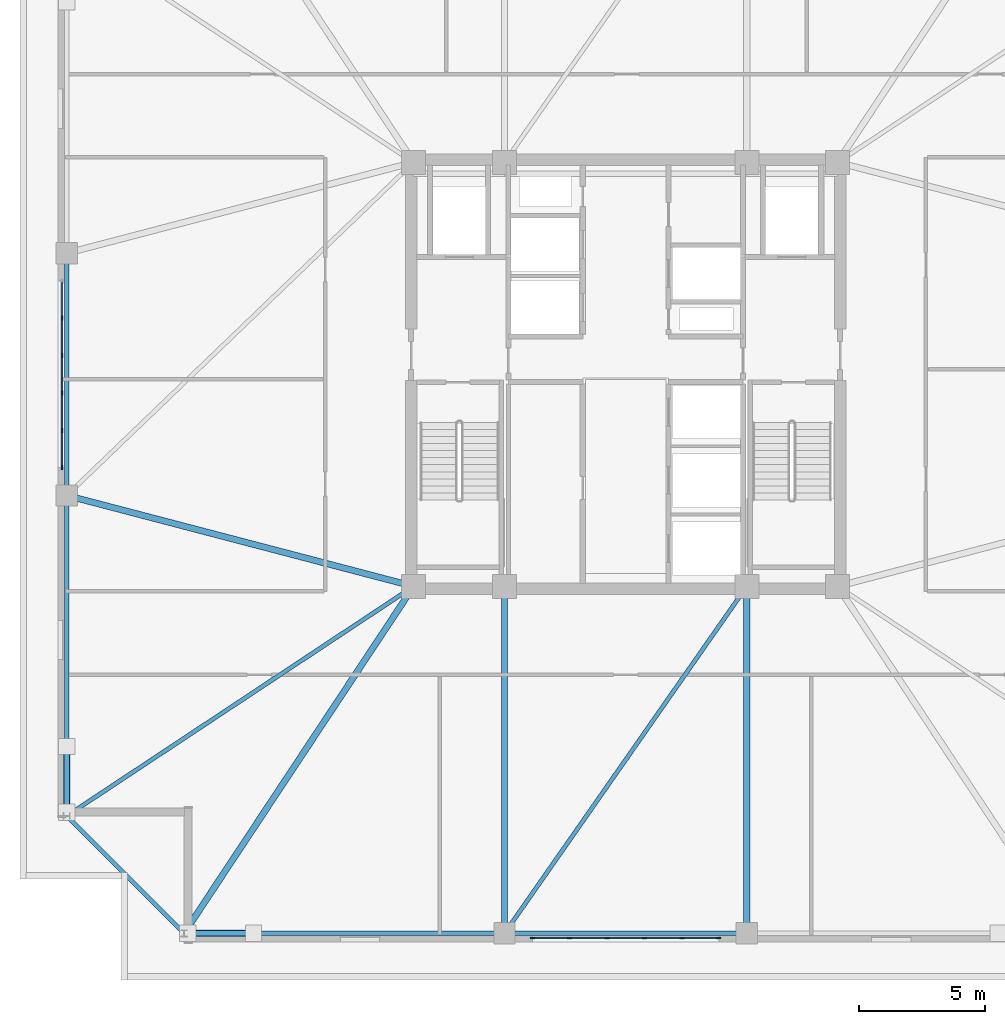
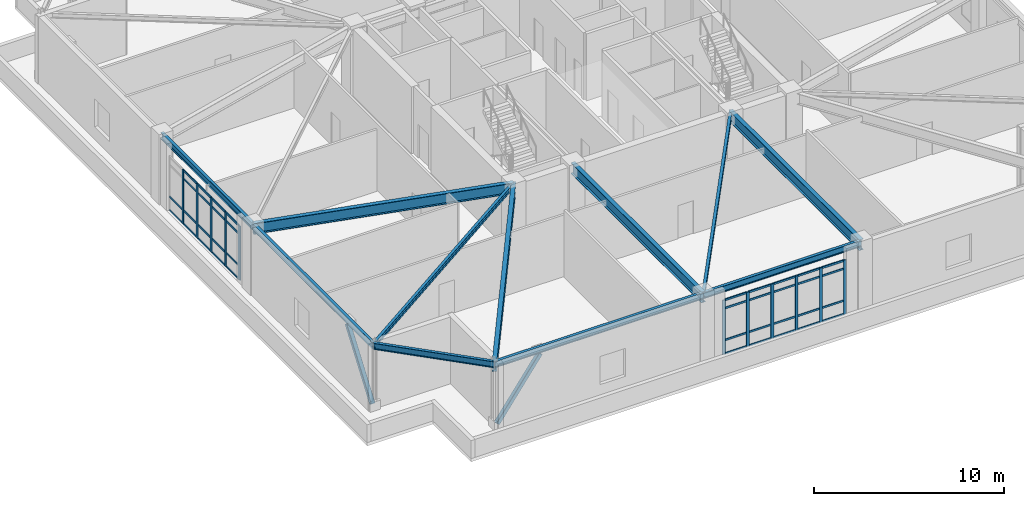
# One storey, part 6 of 18: 51 members, 11 beams, 2 elements without a shape of their own.
"""IFC4 building model written with IfcOpenShell, lengths in metres."""

from ifc_helpers import new_model, si_unit, direction, frame, origin, origin_2d, place, context, subcontext, project, spatial, rectangle, hollow_rectangle, i_section, extrude, material, layer, layer_set, material_profile, profile_set, type_object, element, aggregate, save


model = new_model("IFC4")

# Units and contexts
model_context = context("Model", 3, precision=1e-05, world=origin(), true_north=direction((0.0, 1.0)))
body_context = subcontext(model_context, "Body", "Model", "MODEL_VIEW")
ifc_project = project(units=[si_unit("LENGTHUNIT", "METRE"), si_unit("AREAUNIT", "SQUARE_METRE"), si_unit("VOLUMEUNIT", "CUBIC_METRE"), si_unit("PLANEANGLEUNIT", "RADIAN"), si_unit("MASSUNIT", "GRAM", prefix="KILO")], contexts=[model_context])

# Site, building, storey
site_placement = place(None, origin())
site = spatial("IfcSite", under=ifc_project, at=site_placement, CompositionType="ELEMENT")
building_placement = place(site_placement, origin())
building = spatial("IfcBuilding", under=site, at=building_placement, Name="Cairnveth Concourse Tower", CompositionType="ELEMENT")
storey_placement = place(building_placement, frame((0.0, 0.0, 198.0)))
storey = spatial("IfcBuildingStorey", under=building, at=storey_placement, Name="L54", CompositionType="ELEMENT", Elevation=198.0)

# Curtain wall, members
ifc_material_1 = material(Name="Architectural Bronze Anodised Aluminium 6063-T6", Category="aluminium")
ifc_layer = layer(ifc_material_1, 0.320068359375)
ifc_layer_set = layer_set([ifc_layer], Name="Architectural Bronze Anodised Aluminium 6063-T6")
curtain_wall_type = type_object("IfcCurtainWallType", Name="SKY LOBBY WINTERGARDEN CURTAIN WALL", PredefinedType="USERDEFINED", material=ifc_layer_set)
curtain_wall_1_placement = place(storey_placement, origin())
curtain_wall_1 = element("IfcCurtainWall", 1, at=curtain_wall_1_placement, inside=storey, type_object=curtain_wall_type, Name="Curtain Wall CW-L54-F3", ObjectType="UNITISED FACADE", PredefinedType="USERDEFINED")
ifc_material_profile_1 = material_profile(ifc_material_1, rectangle(XDim=0.06494140625, YDim=0.179931640625, at=origin_2d()), Name="AL-MUL-65x180")
ifc_profile_set_1 = profile_set([ifc_material_profile_1], Name="Architectural Bronze Anodised Aluminium 6063-T6")
member_type_1 = type_object("IfcMemberType", Name="BRONZE CURTAIN WALL MULLION AL-MUL-65x180", PredefinedType="MULLION", material=ifc_profile_set_1)
member_1_placement = place(storey_placement, frame((55.6826171875, 16.659912109375, 0.0), z_axis=(0.0, 0.0, 1.0), x_axis=(0.0, -1.0, 0.0)))
member_1 = element("IfcMember", 2, at=member_1_placement, type_object=member_type_1, Name="CWS4 mullion 1", PredefinedType="MULLION", context=body_context, shape_type="SweptSolid", body=[
    extrude(rectangle(XDim=0.06494140625, YDim=0.179931640625, at=origin_2d()), origin(), (0.0, 0.0, 1.0), 3.498046875),
])
member_2_placement = place(storey_placement, frame((54.22900390625, 16.659912109375, 0.0), z_axis=(0.0, 0.0, 1.0), x_axis=(0.0, -1.0, 0.0)))
member_2 = element("IfcMember", 3, at=member_2_placement, type_object=member_type_1, Name="CWS4 mullion 2", PredefinedType="MULLION", context=body_context, shape_type="SweptSolid", body=[
    extrude(rectangle(XDim=0.06494140625, YDim=0.179931640625, at=origin_2d()), origin(), (0.0, 0.0, 1.0), 3.498046875),
])
member_3_placement = place(storey_placement, frame((52.742919921875, 16.659912109375, 0.0), z_axis=(0.0, 0.0, 1.0), x_axis=(0.0, -1.0, 0.0)))
member_3 = element("IfcMember", 4, at=member_3_placement, type_object=member_type_1, Name="CWS4 mullion 3", PredefinedType="MULLION", context=body_context, shape_type="SweptSolid", body=[
    extrude(rectangle(XDim=0.06494140625, YDim=0.179931640625, at=origin_2d()), origin(), (0.0, 0.0, 1.0), 3.498046875),
])
member_4_placement = place(storey_placement, frame((51.257080078125, 16.659912109375, 0.0), z_axis=(0.0, 0.0, 1.0), x_axis=(0.0, -1.0, 0.0)))
member_4 = element("IfcMember", 5, at=member_4_placement, type_object=member_type_1, Name="CWS4 mullion 4", PredefinedType="MULLION", context=body_context, shape_type="SweptSolid", body=[
    extrude(rectangle(XDim=0.06494140625, YDim=0.179931640625, at=origin_2d()), origin(), (0.0, 0.0, 1.0), 3.498046875),
])
member_5_placement = place(storey_placement, frame((49.77099609375, 16.659912109375, 0.0), z_axis=(0.0, 0.0, 1.0), x_axis=(0.0, -1.0, 0.0)))
member_5 = element("IfcMember", 6, at=member_5_placement, type_object=member_type_1, Name="CWS4 mullion 5", PredefinedType="MULLION", context=body_context, shape_type="SweptSolid", body=[
    extrude(rectangle(XDim=0.06494140625, YDim=0.179931640625, at=origin_2d()), origin(), (0.0, 0.0, 1.0), 3.498046875),
])
member_6_placement = place(storey_placement, frame((48.3173828125, 16.659912109375, 0.0), z_axis=(0.0, 0.0, 1.0), x_axis=(0.0, -1.0, 0.0)))
member_6 = element("IfcMember", 7, at=member_6_placement, type_object=member_type_1, Name="CWS4 mullion 6", PredefinedType="MULLION", context=body_context, shape_type="SweptSolid", body=[
    extrude(rectangle(XDim=0.06494140625, YDim=0.179931640625, at=origin_2d()), origin(), (0.0, 0.0, 1.0), 3.498046875),
])

curtain_wall_2_placement = place(storey_placement, origin())
curtain_wall_2 = element("IfcCurtainWall", 8, at=curtain_wall_2_placement, inside=storey, type_object=curtain_wall_type, Name="Curtain Wall CW-L54-F6", ObjectType="UNITISED FACADE", PredefinedType="USERDEFINED")
member_7_placement = place(storey_placement, frame((29.659912109375, 35.3173828125, 0.0), z_axis=(0.0, 0.0, 1.0), x_axis=(-1.0, 0.0, 0.0)))
member_7 = element("IfcMember", 9, at=member_7_placement, type_object=member_type_1, Name="CWS4 mullion 1", PredefinedType="MULLION", context=body_context, shape_type="SweptSolid", body=[
    extrude(rectangle(XDim=0.06494140625, YDim=0.179931640625, at=origin_2d()), origin(), (0.0, 0.0, 1.0), 3.498046875),
])
member_8_placement = place(storey_placement, frame((29.659912109375, 36.77099609375, 0.0), z_axis=(0.0, 0.0, 1.0), x_axis=(-1.0, 0.0, 0.0)))
member_8 = element("IfcMember", 10, at=member_8_placement, type_object=member_type_1, Name="CWS4 mullion 2", PredefinedType="MULLION", context=body_context, shape_type="SweptSolid", body=[
    extrude(rectangle(XDim=0.06494140625, YDim=0.179931640625, at=origin_2d()), origin(), (0.0, 0.0, 1.0), 3.498046875),
])
member_9_placement = place(storey_placement, frame((29.659912109375, 38.257080078125, 0.0), z_axis=(0.0, 0.0, 1.0), x_axis=(-1.0, 0.0, 0.0)))
member_9 = element("IfcMember", 11, at=member_9_placement, type_object=member_type_1, Name="CWS4 mullion 3", PredefinedType="MULLION", context=body_context, shape_type="SweptSolid", body=[
    extrude(rectangle(XDim=0.06494140625, YDim=0.179931640625, at=origin_2d()), origin(), (0.0, 0.0, 1.0), 3.498046875),
])
member_10_placement = place(storey_placement, frame((29.659912109375, 39.742919921875, 0.0), z_axis=(0.0, 0.0, 1.0), x_axis=(-1.0, 0.0, 0.0)))
member_10 = element("IfcMember", 12, at=member_10_placement, type_object=member_type_1, Name="CWS4 mullion 4", PredefinedType="MULLION", context=body_context, shape_type="SweptSolid", body=[
    extrude(rectangle(XDim=0.06494140625, YDim=0.179931640625, at=origin_2d()), origin(), (0.0, 0.0, 1.0), 3.498046875),
])
member_11_placement = place(storey_placement, frame((29.659912109375, 41.22900390625, 0.0), z_axis=(0.0, 0.0, 1.0), x_axis=(-1.0, 0.0, 0.0)))
member_11 = element("IfcMember", 13, at=member_11_placement, type_object=member_type_1, Name="CWS4 mullion 5", PredefinedType="MULLION", context=body_context, shape_type="SweptSolid", body=[
    extrude(rectangle(XDim=0.06494140625, YDim=0.179931640625, at=origin_2d()), origin(), (0.0, 0.0, 1.0), 3.498046875),
])

# Member
ifc_material_profile_2 = material_profile(ifc_material_1, rectangle(XDim=0.06494140625, YDim=0.1201171875, at=origin_2d()), Name="AL-TRN-65x120")
ifc_profile_set_2 = profile_set([ifc_material_profile_2], Name="Architectural Bronze Anodised Aluminium 6063-T6")
member_type_2 = type_object("IfcMemberType", Name="BRONZE CURTAIN WALL TRANSOM AL-TRN-65x120", PredefinedType="USERDEFINED", material=ifc_profile_set_2)
member_12_placement = place(storey_placement, frame((55.64990234375, 16.659912109375, 0.032470703125), z_axis=(-1.0, 0.0, 0.0), x_axis=(0.0, -1.0, 0.0)))
member_12 = element("IfcMember", 14, at=member_12_placement, type_object=member_type_2, Name="CWS4 transom 1.1", ObjectType="TRANSOM", PredefinedType="USERDEFINED", context=body_context, shape_type="SweptSolid", body=[
    extrude(rectangle(XDim=0.06494140625, YDim=0.1201171875, at=origin_2d()), origin(), (0.0, 0.0, 1.0), 1.388427734375),
])

member_13_placement = place(storey_placement, frame((55.64990234375, 16.659912109375, 0.89990234375), z_axis=(-1.0, 0.0, 0.0), x_axis=(0.0, -1.0, 0.0)))
member_13 = element("IfcMember", 15, at=member_13_placement, type_object=member_type_2, Name="CWS4 transom 1.2", ObjectType="TRANSOM", PredefinedType="USERDEFINED", context=body_context, shape_type="SweptSolid", body=[
    extrude(rectangle(XDim=0.06494140625, YDim=0.1201171875, at=origin_2d()), origin(), (0.0, 0.0, 1.0), 1.388427734375),
])

member_14_placement = place(storey_placement, frame((55.64990234375, 16.659912109375, 2.947998046875), z_axis=(-1.0, 0.0, 0.0), x_axis=(0.0, -1.0, 0.0)))
member_14 = element("IfcMember", 16, at=member_14_placement, type_object=member_type_2, Name="CWS4 transom 1.3", ObjectType="TRANSOM", PredefinedType="USERDEFINED", context=body_context, shape_type="SweptSolid", body=[
    extrude(rectangle(XDim=0.06494140625, YDim=0.1201171875, at=origin_2d()), origin(), (0.0, 0.0, 1.0), 1.388427734375),
])

member_15_placement = place(storey_placement, frame((55.64990234375, 16.659912109375, 3.465576171875), z_axis=(-1.0, 0.0, 0.0), x_axis=(0.0, -1.0, 0.0)))
member_15 = element("IfcMember", 17, at=member_15_placement, type_object=member_type_2, Name="CWS4 transom 1.4", ObjectType="TRANSOM", PredefinedType="USERDEFINED", context=body_context, shape_type="SweptSolid", body=[
    extrude(rectangle(XDim=0.06494140625, YDim=0.1201171875, at=origin_2d()), origin(), (0.0, 0.0, 1.0), 1.388427734375),
])

member_16_placement = place(storey_placement, frame((54.196533203125, 16.659912109375, 0.032470703125), z_axis=(-1.0, 0.0, 0.0), x_axis=(0.0, -1.0, 0.0)))
member_16 = element("IfcMember", 18, at=member_16_placement, type_object=member_type_2, Name="CWS4 transom 2.1", ObjectType="TRANSOM", PredefinedType="USERDEFINED", context=body_context, shape_type="SweptSolid", body=[
    extrude(rectangle(XDim=0.06494140625, YDim=0.1201171875, at=origin_2d()), origin(), (0.0, 0.0, 1.0), 1.421142578125),
])

member_17_placement = place(storey_placement, frame((54.196533203125, 16.659912109375, 0.89990234375), z_axis=(-1.0, 0.0, 0.0), x_axis=(0.0, -1.0, 0.0)))
member_17 = element("IfcMember", 19, at=member_17_placement, type_object=member_type_2, Name="CWS4 transom 2.2", ObjectType="TRANSOM", PredefinedType="USERDEFINED", context=body_context, shape_type="SweptSolid", body=[
    extrude(rectangle(XDim=0.06494140625, YDim=0.1201171875, at=origin_2d()), origin(), (0.0, 0.0, 1.0), 1.421142578125),
])

member_18_placement = place(storey_placement, frame((54.196533203125, 16.659912109375, 2.947998046875), z_axis=(-1.0, 0.0, 0.0), x_axis=(0.0, -1.0, 0.0)))
member_18 = element("IfcMember", 20, at=member_18_placement, type_object=member_type_2, Name="CWS4 transom 2.3", ObjectType="TRANSOM", PredefinedType="USERDEFINED", context=body_context, shape_type="SweptSolid", body=[
    extrude(rectangle(XDim=0.06494140625, YDim=0.1201171875, at=origin_2d()), origin(), (0.0, 0.0, 1.0), 1.421142578125),
])

member_19_placement = place(storey_placement, frame((54.196533203125, 16.659912109375, 3.465576171875), z_axis=(-1.0, 0.0, 0.0), x_axis=(0.0, -1.0, 0.0)))
member_19 = element("IfcMember", 21, at=member_19_placement, type_object=member_type_2, Name="CWS4 transom 2.4", ObjectType="TRANSOM", PredefinedType="USERDEFINED", context=body_context, shape_type="SweptSolid", body=[
    extrude(rectangle(XDim=0.06494140625, YDim=0.1201171875, at=origin_2d()), origin(), (0.0, 0.0, 1.0), 1.421142578125),
])

member_20_placement = place(storey_placement, frame((52.71044921875, 16.659912109375, 0.032470703125), z_axis=(-1.0, 0.0, 0.0), x_axis=(0.0, -1.0, 0.0)))
member_20 = element("IfcMember", 22, at=member_20_placement, type_object=member_type_2, Name="CWS4 transom 3.1", ObjectType="TRANSOM", PredefinedType="USERDEFINED", context=body_context, shape_type="SweptSolid", body=[
    extrude(rectangle(XDim=0.06494140625, YDim=0.1201171875, at=origin_2d()), origin(), (0.0, 0.0, 1.0), 1.4208984375),
])

member_21_placement = place(storey_placement, frame((52.71044921875, 16.659912109375, 0.89990234375), z_axis=(-1.0, 0.0, 0.0), x_axis=(0.0, -1.0, 0.0)))
member_21 = element("IfcMember", 23, at=member_21_placement, type_object=member_type_2, Name="CWS4 transom 3.2", ObjectType="TRANSOM", PredefinedType="USERDEFINED", context=body_context, shape_type="SweptSolid", body=[
    extrude(rectangle(XDim=0.06494140625, YDim=0.1201171875, at=origin_2d()), origin(), (0.0, 0.0, 1.0), 1.4208984375),
])

member_22_placement = place(storey_placement, frame((52.71044921875, 16.659912109375, 2.947998046875), z_axis=(-1.0, 0.0, 0.0), x_axis=(0.0, -1.0, 0.0)))
member_22 = element("IfcMember", 24, at=member_22_placement, type_object=member_type_2, Name="CWS4 transom 3.3", ObjectType="TRANSOM", PredefinedType="USERDEFINED", context=body_context, shape_type="SweptSolid", body=[
    extrude(rectangle(XDim=0.06494140625, YDim=0.1201171875, at=origin_2d()), origin(), (0.0, 0.0, 1.0), 1.4208984375),
])

member_23_placement = place(storey_placement, frame((52.71044921875, 16.659912109375, 3.465576171875), z_axis=(-1.0, 0.0, 0.0), x_axis=(0.0, -1.0, 0.0)))
member_23 = element("IfcMember", 25, at=member_23_placement, type_object=member_type_2, Name="CWS4 transom 3.4", ObjectType="TRANSOM", PredefinedType="USERDEFINED", context=body_context, shape_type="SweptSolid", body=[
    extrude(rectangle(XDim=0.06494140625, YDim=0.1201171875, at=origin_2d()), origin(), (0.0, 0.0, 1.0), 1.4208984375),
])

member_24_placement = place(storey_placement, frame((51.224609375, 16.659912109375, 0.032470703125), z_axis=(-1.0, 0.0, 0.0), x_axis=(0.0, -1.0, 0.0)))
member_24 = element("IfcMember", 26, at=member_24_placement, type_object=member_type_2, Name="CWS4 transom 4.1", ObjectType="TRANSOM", PredefinedType="USERDEFINED", context=body_context, shape_type="SweptSolid", body=[
    extrude(rectangle(XDim=0.06494140625, YDim=0.1201171875, at=origin_2d()), origin(), (0.0, 0.0, 1.0), 1.421142578125),
])

member_25_placement = place(storey_placement, frame((51.224609375, 16.659912109375, 0.89990234375), z_axis=(-1.0, 0.0, 0.0), x_axis=(0.0, -1.0, 0.0)))
member_25 = element("IfcMember", 27, at=member_25_placement, type_object=member_type_2, Name="CWS4 transom 4.2", ObjectType="TRANSOM", PredefinedType="USERDEFINED", context=body_context, shape_type="SweptSolid", body=[
    extrude(rectangle(XDim=0.06494140625, YDim=0.1201171875, at=origin_2d()), origin(), (0.0, 0.0, 1.0), 1.421142578125),
])

member_26_placement = place(storey_placement, frame((51.224609375, 16.659912109375, 2.947998046875), z_axis=(-1.0, 0.0, 0.0), x_axis=(0.0, -1.0, 0.0)))
member_26 = element("IfcMember", 28, at=member_26_placement, type_object=member_type_2, Name="CWS4 transom 4.3", ObjectType="TRANSOM", PredefinedType="USERDEFINED", context=body_context, shape_type="SweptSolid", body=[
    extrude(rectangle(XDim=0.06494140625, YDim=0.1201171875, at=origin_2d()), origin(), (0.0, 0.0, 1.0), 1.421142578125),
])

member_27_placement = place(storey_placement, frame((51.224609375, 16.659912109375, 3.465576171875), z_axis=(-1.0, 0.0, 0.0), x_axis=(0.0, -1.0, 0.0)))
member_27 = element("IfcMember", 29, at=member_27_placement, type_object=member_type_2, Name="CWS4 transom 4.4", ObjectType="TRANSOM", PredefinedType="USERDEFINED", context=body_context, shape_type="SweptSolid", body=[
    extrude(rectangle(XDim=0.06494140625, YDim=0.1201171875, at=origin_2d()), origin(), (0.0, 0.0, 1.0), 1.421142578125),
])

member_28_placement = place(storey_placement, frame((49.738525390625, 16.659912109375, 0.032470703125), z_axis=(-1.0, 0.0, 0.0), x_axis=(0.0, -1.0, 0.0)))
member_28 = element("IfcMember", 30, at=member_28_placement, type_object=member_type_2, Name="CWS4 transom 5.1", ObjectType="TRANSOM", PredefinedType="USERDEFINED", context=body_context, shape_type="SweptSolid", body=[
    extrude(rectangle(XDim=0.06494140625, YDim=0.1201171875, at=origin_2d()), origin(), (0.0, 0.0, 1.0), 1.388427734375),
])

member_29_placement = place(storey_placement, frame((49.738525390625, 16.659912109375, 0.89990234375), z_axis=(-1.0, 0.0, 0.0), x_axis=(0.0, -1.0, 0.0)))
member_29 = element("IfcMember", 31, at=member_29_placement, type_object=member_type_2, Name="CWS4 transom 5.2", ObjectType="TRANSOM", PredefinedType="USERDEFINED", context=body_context, shape_type="SweptSolid", body=[
    extrude(rectangle(XDim=0.06494140625, YDim=0.1201171875, at=origin_2d()), origin(), (0.0, 0.0, 1.0), 1.388427734375),
])

member_30_placement = place(storey_placement, frame((49.738525390625, 16.659912109375, 2.947998046875), z_axis=(-1.0, 0.0, 0.0), x_axis=(0.0, -1.0, 0.0)))
member_30 = element("IfcMember", 32, at=member_30_placement, type_object=member_type_2, Name="CWS4 transom 5.3", ObjectType="TRANSOM", PredefinedType="USERDEFINED", context=body_context, shape_type="SweptSolid", body=[
    extrude(rectangle(XDim=0.06494140625, YDim=0.1201171875, at=origin_2d()), origin(), (0.0, 0.0, 1.0), 1.388427734375),
])

member_31_placement = place(storey_placement, frame((49.738525390625, 16.659912109375, 3.465576171875), z_axis=(-1.0, 0.0, 0.0), x_axis=(0.0, -1.0, 0.0)))
member_31 = element("IfcMember", 33, at=member_31_placement, type_object=member_type_2, Name="CWS4 transom 5.4", ObjectType="TRANSOM", PredefinedType="USERDEFINED", context=body_context, shape_type="SweptSolid", body=[
    extrude(rectangle(XDim=0.06494140625, YDim=0.1201171875, at=origin_2d()), origin(), (0.0, 0.0, 1.0), 1.388427734375),
])

aggregate(curtain_wall_1, [member_1, member_2, member_3, member_4, member_5, member_6, member_12, member_13, member_14, member_15, member_16, member_17, member_18, member_19, member_20, member_21, member_22, member_23, member_24, member_25, member_26, member_27, member_28, member_29, member_30, member_31])

member_32_placement = place(storey_placement, frame((29.659912109375, 35.35009765625, 0.032470703125), z_axis=(0.0, 1.0, 0.0), x_axis=(-1.0, 0.0, 0.0)))
member_32 = element("IfcMember", 34, at=member_32_placement, type_object=member_type_2, Name="CWS4 transom 1.1", ObjectType="TRANSOM", PredefinedType="USERDEFINED", context=body_context, shape_type="SweptSolid", body=[
    extrude(rectangle(XDim=0.06494140625, YDim=0.1201171875, at=origin_2d()), origin(), (0.0, 0.0, 1.0), 1.388427734375),
])

member_33_placement = place(storey_placement, frame((29.659912109375, 35.35009765625, 0.89990234375), z_axis=(0.0, 1.0, 0.0), x_axis=(-1.0, 0.0, 0.0)))
member_33 = element("IfcMember", 35, at=member_33_placement, type_object=member_type_2, Name="CWS4 transom 1.2", ObjectType="TRANSOM", PredefinedType="USERDEFINED", context=body_context, shape_type="SweptSolid", body=[
    extrude(rectangle(XDim=0.06494140625, YDim=0.1201171875, at=origin_2d()), origin(), (0.0, 0.0, 1.0), 1.388427734375),
])

member_34_placement = place(storey_placement, frame((29.659912109375, 35.35009765625, 2.947998046875), z_axis=(0.0, 1.0, 0.0), x_axis=(-1.0, 0.0, 0.0)))
member_34 = element("IfcMember", 36, at=member_34_placement, type_object=member_type_2, Name="CWS4 transom 1.3", ObjectType="TRANSOM", PredefinedType="USERDEFINED", context=body_context, shape_type="SweptSolid", body=[
    extrude(rectangle(XDim=0.06494140625, YDim=0.1201171875, at=origin_2d()), origin(), (0.0, 0.0, 1.0), 1.388427734375),
])

member_35_placement = place(storey_placement, frame((29.659912109375, 35.35009765625, 3.465576171875), z_axis=(0.0, 1.0, 0.0), x_axis=(-1.0, 0.0, 0.0)))
member_35 = element("IfcMember", 37, at=member_35_placement, type_object=member_type_2, Name="CWS4 transom 1.4", ObjectType="TRANSOM", PredefinedType="USERDEFINED", context=body_context, shape_type="SweptSolid", body=[
    extrude(rectangle(XDim=0.06494140625, YDim=0.1201171875, at=origin_2d()), origin(), (0.0, 0.0, 1.0), 1.388427734375),
])

member_36_placement = place(storey_placement, frame((29.659912109375, 36.803466796875, 0.032470703125), z_axis=(0.0, 1.0, 0.0), x_axis=(-1.0, 0.0, 0.0)))
member_36 = element("IfcMember", 38, at=member_36_placement, type_object=member_type_2, Name="CWS4 transom 2.1", ObjectType="TRANSOM", PredefinedType="USERDEFINED", context=body_context, shape_type="SweptSolid", body=[
    extrude(rectangle(XDim=0.06494140625, YDim=0.1201171875, at=origin_2d()), origin(), (0.0, 0.0, 1.0), 1.421142578125),
])

member_37_placement = place(storey_placement, frame((29.659912109375, 36.803466796875, 0.89990234375), z_axis=(0.0, 1.0, 0.0), x_axis=(-1.0, 0.0, 0.0)))
member_37 = element("IfcMember", 39, at=member_37_placement, type_object=member_type_2, Name="CWS4 transom 2.2", ObjectType="TRANSOM", PredefinedType="USERDEFINED", context=body_context, shape_type="SweptSolid", body=[
    extrude(rectangle(XDim=0.06494140625, YDim=0.1201171875, at=origin_2d()), origin(), (0.0, 0.0, 1.0), 1.421142578125),
])

member_38_placement = place(storey_placement, frame((29.659912109375, 36.803466796875, 2.947998046875), z_axis=(0.0, 1.0, 0.0), x_axis=(-1.0, 0.0, 0.0)))
member_38 = element("IfcMember", 40, at=member_38_placement, type_object=member_type_2, Name="CWS4 transom 2.3", ObjectType="TRANSOM", PredefinedType="USERDEFINED", context=body_context, shape_type="SweptSolid", body=[
    extrude(rectangle(XDim=0.06494140625, YDim=0.1201171875, at=origin_2d()), origin(), (0.0, 0.0, 1.0), 1.421142578125),
])

member_39_placement = place(storey_placement, frame((29.659912109375, 36.803466796875, 3.465576171875), z_axis=(0.0, 1.0, 0.0), x_axis=(-1.0, 0.0, 0.0)))
member_39 = element("IfcMember", 41, at=member_39_placement, type_object=member_type_2, Name="CWS4 transom 2.4", ObjectType="TRANSOM", PredefinedType="USERDEFINED", context=body_context, shape_type="SweptSolid", body=[
    extrude(rectangle(XDim=0.06494140625, YDim=0.1201171875, at=origin_2d()), origin(), (0.0, 0.0, 1.0), 1.421142578125),
])

member_40_placement = place(storey_placement, frame((29.659912109375, 38.28955078125, 0.032470703125), z_axis=(0.0, 1.0, 0.0), x_axis=(-1.0, 0.0, 0.0)))
member_40 = element("IfcMember", 42, at=member_40_placement, type_object=member_type_2, Name="CWS4 transom 3.1", ObjectType="TRANSOM", PredefinedType="USERDEFINED", context=body_context, shape_type="SweptSolid", body=[
    extrude(rectangle(XDim=0.06494140625, YDim=0.1201171875, at=origin_2d()), origin(), (0.0, 0.0, 1.0), 1.4208984375),
])

member_41_placement = place(storey_placement, frame((29.659912109375, 38.28955078125, 0.89990234375), z_axis=(0.0, 1.0, 0.0), x_axis=(-1.0, 0.0, 0.0)))
member_41 = element("IfcMember", 43, at=member_41_placement, type_object=member_type_2, Name="CWS4 transom 3.2", ObjectType="TRANSOM", PredefinedType="USERDEFINED", context=body_context, shape_type="SweptSolid", body=[
    extrude(rectangle(XDim=0.06494140625, YDim=0.1201171875, at=origin_2d()), origin(), (0.0, 0.0, 1.0), 1.4208984375),
])

member_42_placement = place(storey_placement, frame((29.659912109375, 38.28955078125, 2.947998046875), z_axis=(0.0, 1.0, 0.0), x_axis=(-1.0, 0.0, 0.0)))
member_42 = element("IfcMember", 44, at=member_42_placement, type_object=member_type_2, Name="CWS4 transom 3.3", ObjectType="TRANSOM", PredefinedType="USERDEFINED", context=body_context, shape_type="SweptSolid", body=[
    extrude(rectangle(XDim=0.06494140625, YDim=0.1201171875, at=origin_2d()), origin(), (0.0, 0.0, 1.0), 1.4208984375),
])

member_43_placement = place(storey_placement, frame((29.659912109375, 38.28955078125, 3.465576171875), z_axis=(0.0, 1.0, 0.0), x_axis=(-1.0, 0.0, 0.0)))
member_43 = element("IfcMember", 45, at=member_43_placement, type_object=member_type_2, Name="CWS4 transom 3.4", ObjectType="TRANSOM", PredefinedType="USERDEFINED", context=body_context, shape_type="SweptSolid", body=[
    extrude(rectangle(XDim=0.06494140625, YDim=0.1201171875, at=origin_2d()), origin(), (0.0, 0.0, 1.0), 1.4208984375),
])

member_44_placement = place(storey_placement, frame((29.659912109375, 39.775390625, 0.032470703125), z_axis=(0.0, 1.0, 0.0), x_axis=(-1.0, 0.0, 0.0)))
member_44 = element("IfcMember", 46, at=member_44_placement, type_object=member_type_2, Name="CWS4 transom 4.1", ObjectType="TRANSOM", PredefinedType="USERDEFINED", context=body_context, shape_type="SweptSolid", body=[
    extrude(rectangle(XDim=0.06494140625, YDim=0.1201171875, at=origin_2d()), origin(), (0.0, 0.0, 1.0), 1.421142578125),
])

member_45_placement = place(storey_placement, frame((29.659912109375, 39.775390625, 0.89990234375), z_axis=(0.0, 1.0, 0.0), x_axis=(-1.0, 0.0, 0.0)))
member_45 = element("IfcMember", 47, at=member_45_placement, type_object=member_type_2, Name="CWS4 transom 4.2", ObjectType="TRANSOM", PredefinedType="USERDEFINED", context=body_context, shape_type="SweptSolid", body=[
    extrude(rectangle(XDim=0.06494140625, YDim=0.1201171875, at=origin_2d()), origin(), (0.0, 0.0, 1.0), 1.421142578125),
])

member_46_placement = place(storey_placement, frame((29.659912109375, 39.775390625, 2.947998046875), z_axis=(0.0, 1.0, 0.0), x_axis=(-1.0, 0.0, 0.0)))
member_46 = element("IfcMember", 48, at=member_46_placement, type_object=member_type_2, Name="CWS4 transom 4.3", ObjectType="TRANSOM", PredefinedType="USERDEFINED", context=body_context, shape_type="SweptSolid", body=[
    extrude(rectangle(XDim=0.06494140625, YDim=0.1201171875, at=origin_2d()), origin(), (0.0, 0.0, 1.0), 1.421142578125),
])

member_47_placement = place(storey_placement, frame((29.659912109375, 39.775390625, 3.465576171875), z_axis=(0.0, 1.0, 0.0), x_axis=(-1.0, 0.0, 0.0)))
member_47 = element("IfcMember", 49, at=member_47_placement, type_object=member_type_2, Name="CWS4 transom 4.4", ObjectType="TRANSOM", PredefinedType="USERDEFINED", context=body_context, shape_type="SweptSolid", body=[
    extrude(rectangle(XDim=0.06494140625, YDim=0.1201171875, at=origin_2d()), origin(), (0.0, 0.0, 1.0), 1.421142578125),
])

member_48_placement = place(storey_placement, frame((29.659912109375, 41.261474609375, 0.032470703125), z_axis=(0.0, 1.0, 0.0), x_axis=(-1.0, 0.0, 0.0)))
member_48 = element("IfcMember", 50, at=member_48_placement, type_object=member_type_2, Name="CWS4 transom 5.1", ObjectType="TRANSOM", PredefinedType="USERDEFINED", context=body_context, shape_type="SweptSolid", body=[
    extrude(rectangle(XDim=0.06494140625, YDim=0.1201171875, at=origin_2d()), origin(), (0.0, 0.0, 1.0), 1.388427734375),
])

member_49_placement = place(storey_placement, frame((29.659912109375, 41.261474609375, 0.89990234375), z_axis=(0.0, 1.0, 0.0), x_axis=(-1.0, 0.0, 0.0)))
member_49 = element("IfcMember", 51, at=member_49_placement, type_object=member_type_2, Name="CWS4 transom 5.2", ObjectType="TRANSOM", PredefinedType="USERDEFINED", context=body_context, shape_type="SweptSolid", body=[
    extrude(rectangle(XDim=0.06494140625, YDim=0.1201171875, at=origin_2d()), origin(), (0.0, 0.0, 1.0), 1.388427734375),
])

aggregate(curtain_wall_2, [member_7, member_8, member_9, member_10, member_11, member_32, member_33, member_34, member_35, member_36, member_37, member_38, member_39, member_40, member_41, member_42, member_43, member_44, member_45, member_46, member_47, member_48, member_49])

# Beams
ifc_material_2 = material(Name="Steel Grade 350", Category="steel")
ifc_material_profile_3 = material_profile(ifc_material_2, i_section(OverallWidth=0.166015625, OverallDepth=0.306884765625, WebThickness=0.006591796875, FlangeThickness=0.01171875, FilletRadius=0.010986328125, at=origin_2d()), Name="310UB46.2")
ifc_profile_set_3 = profile_set([ifc_material_profile_3], Name="Steel Grade 350")
beam_type_1 = type_object("IfcBeamType", Name="ZONE 3 FLOOR JOIST 310UB46.2", PredefinedType="JOIST", material=ifc_profile_set_3)
beam_1_placement = place(storey_placement, frame((29.85009765625, 21.5, 4.136474609375), z_axis=(0.833908956207, 0.551902031848, 0.0), x_axis=(-0.551902031848, 0.833908956207, 0.0)))
element("IfcBeam", 52, at=beam_1_placement, inside=storey, type_object=beam_type_1, Name="Beam FJ-CSW2 L54", PredefinedType="JOIST", context=body_context, shape_type="SweptSolid", body=[
    extrude(i_section(OverallWidth=0.166015625, OverallDepth=0.306884765625, WebThickness=0.006591796875, FlangeThickness=0.01171875, FilletRadius=0.010986328125, at=origin_2d()), origin(), (0.0, 0.0, 1.0), 16.488525390625),
])
beam_2_placement = place(storey_placement, frame((47.199951171875, 16.85009765625, 4.136474609375), z_axis=(0.572465304893, 0.819928944905, 0.0), x_axis=(-0.819928944905, 0.572465304893, 0.0)))
element("IfcBeam", 53, at=beam_2_placement, inside=storey, type_object=beam_type_1, Name="Beam FJ-S-M1 L54", PredefinedType="JOIST", context=body_context, shape_type="SweptSolid", body=[
    extrude(i_section(OverallWidth=0.166015625, OverallDepth=0.306884765625, WebThickness=0.006591796875, FlangeThickness=0.01171875, FilletRadius=0.010986328125, at=origin_2d()), origin(), (0.0, 0.0, 1.0), 16.769775390625),
])

# Members
ifc_material_3 = material(Name="Steel C350L0 (350 MPa)", Category="steel")
ifc_material_profile_4 = material_profile(ifc_material_3, hollow_rectangle(XDim=0.25, YDim=0.25, WallThickness=0.012451171875, InnerFilletRadius=0.012939453125, OuterFilletRadius=0.02490234375, at=origin_2d()), Name="250x250x12.5SHS")
ifc_profile_set_4 = profile_set([ifc_material_profile_4], Name="Steel C350L0 (350 MPa)")
member_type_3 = type_object("IfcMemberType", Name="ZONE 3 PIER BRACE 250X250X12.5SHS", PredefinedType="BRACE", material=ifc_profile_set_4)
for number, where, z_axis, x_axis, name in (
    (54, (34.64990234375, 16.85009765625, 0.25), (0.586565875469, 0.0, 0.809901521011), (0.0, 1.0, 0.0), "Structural Brace PB-S1 L54"),
    (55, (29.85009765625, 21.64990234375, 0.25), (0.0, 0.586565875469, 0.809901521011), (-1.0, 0.0, 0.0), "Structural Brace PB-W1 L54"),
):
    element("IfcMember", number, at=place(storey_placement, frame(where, z_axis=z_axis, x_axis=x_axis)), inside=storey, type_object=member_type_3, Name=name, PredefinedType="BRACE", context=body_context, shape_type="SweptSolid", body=[
        extrude(hollow_rectangle(XDim=0.25, YDim=0.25, WallThickness=0.012451171875, InnerFilletRadius=0.012939453125, OuterFilletRadius=0.02490234375, at=origin_2d()), origin(), (0.0, 0.0, 1.0), 4.432861328125),
    ])

# Beams
ifc_material_profile_5 = material_profile(ifc_material_2, i_section(OverallWidth=0.25, OverallDepth=0.69189453125, WebThickness=0.010009765625, FlangeThickness=0.02490234375, at=origin_2d()), Name="700WB150")
ifc_profile_set_5 = profile_set([ifc_material_profile_5], Name="Steel Grade 350")
beam_type_2 = type_object("IfcBeamType", Name="ZONE 3 RADIAL GIRDER 700WB150", PredefinedType="BEAM", material=ifc_profile_set_5)
for number, where, z_axis, x_axis, name in (
    (56, (47.199951171875, 16.85009765625, 3.944091796875), (0.0, 1.0, 0.0), (-1.0, 0.0, 0.0), "Beam RG-S1 L54"),
    (57, (56.800048828125, 16.85009765625, 3.944091796875), (0.0, 1.0, 0.0), (-1.0, 0.0, 0.0), "Beam RG-S2 L54"),
):
    element("IfcBeam", number, at=place(storey_placement, frame(where, z_axis=z_axis, x_axis=x_axis)), inside=storey, type_object=beam_type_2, Name=name, PredefinedType="BEAM", context=body_context, shape_type="SweptSolid", body=[
        extrude(i_section(OverallWidth=0.25, OverallDepth=0.69189453125, WebThickness=0.010009765625, FlangeThickness=0.02490234375, at=origin_2d()), origin(), (0.0, 0.0, 1.0), 13.75),
    ])
beam_3_placement = place(storey_placement, frame((29.85009765625, 34.199951171875, 3.944091796875), z_axis=(0.967395273598, -0.253271365575, 0.0), x_axis=(0.253271365575, 0.967395273598, 0.0)))
element("IfcBeam", 58, at=beam_3_placement, inside=storey, type_object=beam_type_2, Name="Beam RG-W1 L54", PredefinedType="BEAM", context=body_context, shape_type="SweptSolid", body=[
    extrude(i_section(OverallWidth=0.25, OverallDepth=0.69189453125, WebThickness=0.010009765625, FlangeThickness=0.02490234375, at=origin_2d()), origin(), (0.0, 0.0, 1.0), 14.21337890625),
])
beam_4_placement = place(storey_placement, frame((34.5, 16.85009765625, 3.944091796875), z_axis=(0.551902031848, 0.833908956207, 0.0), x_axis=(-0.833908956207, 0.551902031848, 0.0)))
element("IfcBeam", 59, at=beam_4_placement, inside=storey, type_object=beam_type_2, Name="Beam RG-CSW L54", PredefinedType="BEAM", context=body_context, shape_type="SweptSolid", body=[
    extrude(i_section(OverallWidth=0.25, OverallDepth=0.69189453125, WebThickness=0.010009765625, FlangeThickness=0.02490234375, at=origin_2d()), origin(), (0.0, 0.0, 1.0), 16.488525390625),
])
ifc_material_profile_6 = material_profile(ifc_material_2, i_section(OverallWidth=0.177978515625, OverallDepth=0.406005859375, WebThickness=0.0078125, FlangeThickness=0.0126953125, FilletRadius=0.010986328125, at=origin_2d()), Name="410UB59.7")
ifc_profile_set_6 = profile_set([ifc_material_profile_6], Name="Steel Grade 350")
beam_type_3 = type_object("IfcBeamType", Name="ZONE 3 SPANDREL BEAM 410UB59.7", PredefinedType="SPANDREL", material=ifc_profile_set_6)
beam_5_placement = place(storey_placement, frame((34.5, 16.85009765625, 4.0869140625), z_axis=(1.0, 0.0, 0.0), x_axis=(0.0, 1.0, 0.0)))
element("IfcBeam", 60, at=beam_5_placement, inside=storey, type_object=beam_type_3, Name="Beam SP-S1 L54", PredefinedType="SPANDREL", context=body_context, shape_type="SweptSolid", body=[
    extrude(i_section(OverallWidth=0.177978515625, OverallDepth=0.406005859375, WebThickness=0.0078125, FlangeThickness=0.0126953125, FilletRadius=0.010986328125, at=origin_2d()), origin(), (0.0, 0.0, 1.0), 12.699951171875),
])
beam_6_placement = place(storey_placement, frame((47.199951171875, 16.85009765625, 4.0869140625), z_axis=(1.0, 0.0, 0.0), x_axis=(0.0, 1.0, 0.0)))
element("IfcBeam", 61, at=beam_6_placement, inside=storey, type_object=beam_type_3, Name="Beam SP-S2 L54", PredefinedType="SPANDREL", context=body_context, shape_type="SweptSolid", body=[
    extrude(i_section(OverallWidth=0.177978515625, OverallDepth=0.406005859375, WebThickness=0.0078125, FlangeThickness=0.0126953125, FilletRadius=0.010986328125, at=origin_2d()), origin(), (0.0, 0.0, 1.0), 9.60009765625),
])
beam_7_placement = place(storey_placement, frame((29.85009765625, 21.5, 4.0869140625), z_axis=(0.0, 1.0, 0.0), x_axis=(-1.0, 0.0, 0.0)))
element("IfcBeam", 62, at=beam_7_placement, inside=storey, type_object=beam_type_3, Name="Beam SP-W1 L54", PredefinedType="SPANDREL", context=body_context, shape_type="SweptSolid", body=[
    extrude(i_section(OverallWidth=0.177978515625, OverallDepth=0.406005859375, WebThickness=0.0078125, FlangeThickness=0.0126953125, FilletRadius=0.010986328125, at=origin_2d()), origin(), (0.0, 0.0, 1.0), 12.699951171875),
])
beam_8_placement = place(storey_placement, frame((29.85009765625, 34.199951171875, 4.0869140625), z_axis=(0.0, 1.0, 0.0), x_axis=(-1.0, 0.0, 0.0)))
element("IfcBeam", 63, at=beam_8_placement, inside=storey, type_object=beam_type_3, Name="Beam SP-W2 L54", PredefinedType="SPANDREL", context=body_context, shape_type="SweptSolid", body=[
    extrude(i_section(OverallWidth=0.177978515625, OverallDepth=0.406005859375, WebThickness=0.0078125, FlangeThickness=0.0126953125, FilletRadius=0.010986328125, at=origin_2d()), origin(), (0.0, 0.0, 1.0), 9.60009765625),
])
beam_9_placement = place(storey_placement, frame((29.85009765625, 21.5, 4.0869140625), z_axis=(0.707106781187, -0.707106781187, 0.0), x_axis=(0.707106781187, 0.707106781187, 0.0)))
element("IfcBeam", 64, at=beam_9_placement, inside=storey, type_object=beam_type_3, Name="Beam SP-SW L54", PredefinedType="SPANDREL", context=body_context, shape_type="SweptSolid", body=[
    extrude(i_section(OverallWidth=0.177978515625, OverallDepth=0.406005859375, WebThickness=0.0078125, FlangeThickness=0.0126953125, FilletRadius=0.010986328125, at=origin_2d()), origin(), (0.0, 0.0, 1.0), 6.575927734375),
])

save(model, "model.ifc")
